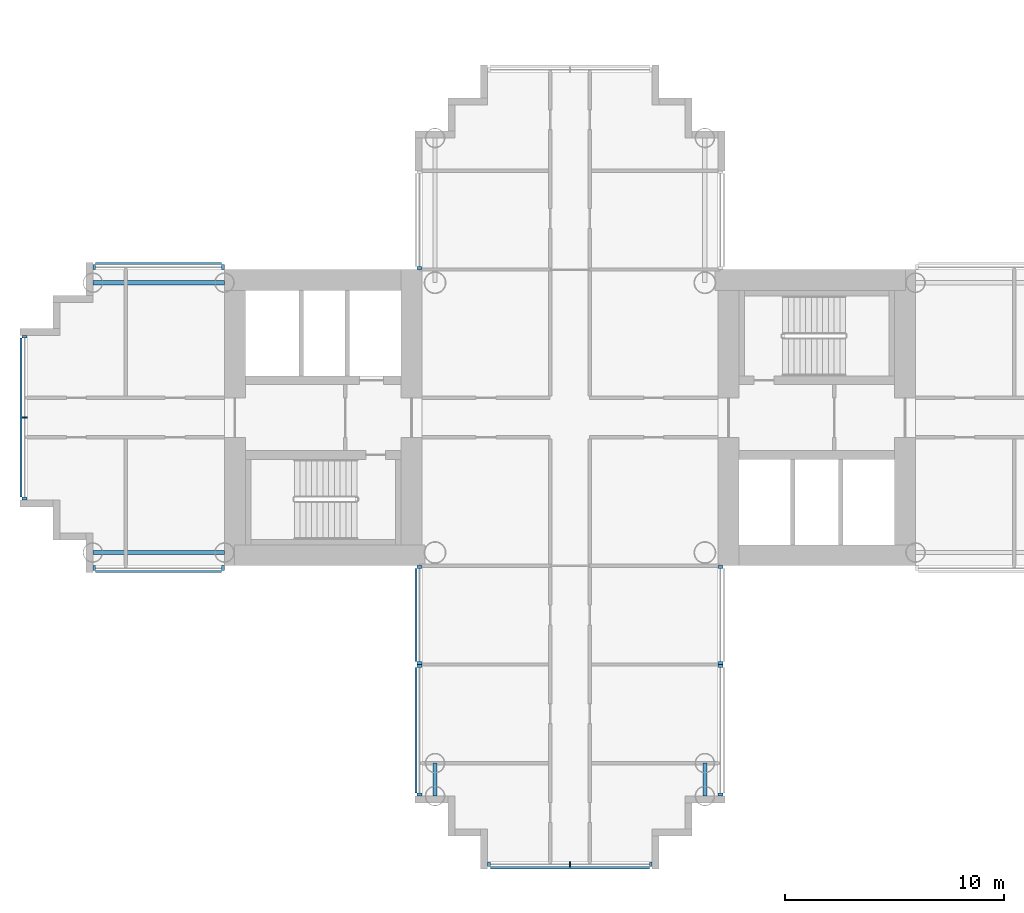
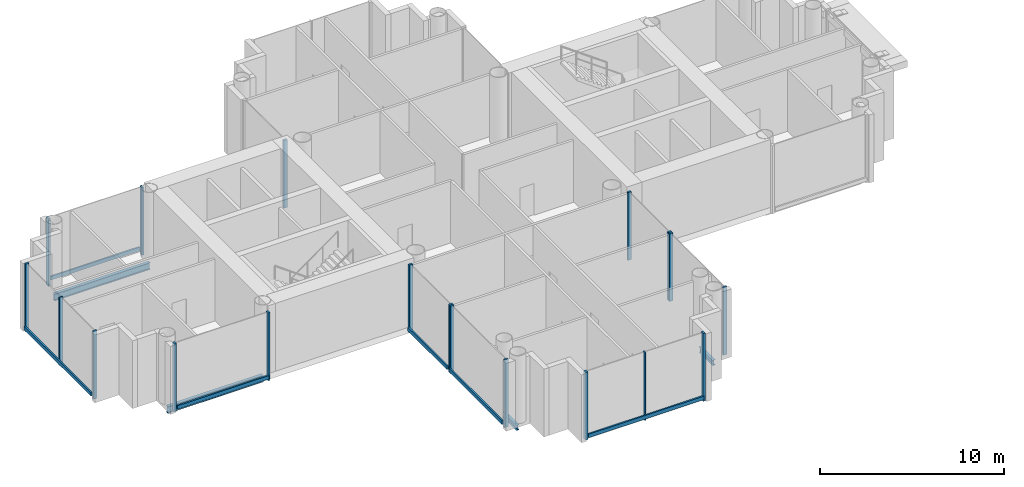
# One storey, part 3 of 20: 25 members, 4 beams, 9 elements without a shape of their own.
"""IFC4 building model written with IfcOpenShell, lengths in metres."""

from ifc_helpers import new_model, si_unit, direction, frame, origin, origin_2d, place, context, subcontext, project, spatial, rectangle, i_section, extrude, material, layer, layer_set, material_profile, profile_set, type_object, element, aggregate, save


model = new_model("IFC4")

# Units and contexts
model_context = context("Model", 3, precision=1e-05, world=origin(), true_north=direction((0.0, 1.0)))
body_context = subcontext(model_context, "Body", "Model", "MODEL_VIEW")
ifc_project = project(units=[si_unit("LENGTHUNIT", "METRE"), si_unit("AREAUNIT", "SQUARE_METRE"), si_unit("VOLUMEUNIT", "CUBIC_METRE"), si_unit("PLANEANGLEUNIT", "RADIAN"), si_unit("MASSUNIT", "GRAM", prefix="KILO")], contexts=[model_context])

# Site, building, storey
site_placement = place(None, origin())
site = spatial("IfcSite", under=ifc_project, at=site_placement, CompositionType="ELEMENT")
building_placement = place(site_placement, origin())
building = spatial("IfcBuilding", under=site, at=building_placement, Name="Ipe Terrace Towers", CompositionType="ELEMENT")
storey_placement = place(building_placement, frame((0.0, 0.0, 124.199951171875)))
storey = spatial("IfcBuildingStorey", under=building, at=storey_placement, Name="L34", CompositionType="ELEMENT", Elevation=124.199951171875)

# Beams
ifc_material_1 = material(Name="Steel S355", Category="steel")
ifc_material_profile_1 = material_profile(ifc_material_1, i_section(OverallWidth=0.175048828125, OverallDepth=0.35009765625, WebThickness=0.007080078125, FlangeThickness=0.010986328125, at=origin_2d()), Name="H-350x175x7x11")
ifc_profile_set_1 = profile_set([ifc_material_profile_1], Name="Steel S355")
beam_type_1 = type_object("IfcBeamType", Name="H04 EDGE BEAM H-350x175x7x11", PredefinedType="BEAM", material=ifc_profile_set_1)
for number, where, z_axis, x_axis, name in (
    (1, (-42.14990234375, -15.75, -0.574951171875), (0.0, -1.0, 0.0), (1.0, 0.0, 0.0), "Edge beam T1-EB-D03-D05"),
    (2, (-29.85009765625, -15.75, -0.574951171875), (0.0, -1.0, 0.0), (1.0, 0.0, 0.0), "Edge beam T1-EB-D04-D06"),
):
    element("IfcBeam", number, at=place(storey_placement, frame(where, z_axis=z_axis, x_axis=x_axis)), inside=storey, type_object=beam_type_1, Name=name, PredefinedType="BEAM", context=body_context, shape_type="SweptSolid", body=[
        extrude(i_section(OverallWidth=0.175048828125, OverallDepth=0.35009765625, WebThickness=0.007080078125, FlangeThickness=0.010986328125, at=origin_2d()), origin(), (0.0, 0.0, 1.0), 1.5),
    ])
ifc_material_2 = material(Name="Steel S355", Category="steel")
ifc_material_profile_2 = material_profile(ifc_material_2, i_section(OverallWidth=0.199951171875, OverallDepth=0.449951171875, WebThickness=0.009033203125, FlangeThickness=0.013916015625, at=origin_2d()), Name="H-450x200x9x14")
ifc_profile_set_2 = profile_set([ifc_material_profile_2], Name="Steel S355")
beam_type_2 = type_object("IfcBeamType", Name="H08 EDGE BEAM H-450x200x9x14", PredefinedType="BEAM", material=ifc_profile_set_2)
for number, where, z_axis, x_axis, name in (
    (3, (-51.75, -6.14990234375, -0.625), (-1.0, 0.0, 0.0), (0.0, -1.0, 0.0), "Edge beam T1-EB-C01-C03"),
    (4, (-51.75, 6.14990234375, -0.625), (-1.0, 0.0, 0.0), (0.0, -1.0, 0.0), "Edge beam T1-EB-C02-C04"),
):
    element("IfcBeam", number, at=place(storey_placement, frame(where, z_axis=z_axis, x_axis=x_axis)), inside=storey, type_object=beam_type_2, Name=name, PredefinedType="BEAM", context=body_context, shape_type="SweptSolid", body=[
        extrude(i_section(OverallWidth=0.199951171875, OverallDepth=0.449951171875, WebThickness=0.009033203125, FlangeThickness=0.013916015625, at=origin_2d()), origin(), (0.0, 0.0, 1.0), 6.0),
    ])

# Curtain wall, members
ifc_material_3 = material(Name="Aluminium alloy 6063-T6", Category="aluminium")
ifc_layer = layer(ifc_material_3, 0.320068359375)
ifc_layer_set = layer_set([ifc_layer], Name="PLANT LOUVRE CURTAIN WALL")
curtain_wall_type = type_object("IfcCurtainWallType", Name="PLANT LOUVRE CURTAIN WALL", PredefinedType="NOTDEFINED", material=ifc_layer_set)
curtain_wall_1_placement = place(storey_placement, origin())
curtain_wall_1 = element("IfcCurtainWall", 5, at=curtain_wall_1_placement, inside=storey, type_object=curtain_wall_type, Name="T1-CW-L34-04a curtain wall", PredefinedType="NOTDEFINED")
ifc_material_4 = material(Name="Aluminium alloy 6063-T6", Category="aluminium")
ifc_material_profile_3 = material_profile(ifc_material_4, rectangle(XDim=0.219970703125, YDim=0.1298828125, at=origin_2d()), Name="PLANT LOUVRE CORNER MULLION 220 x 130")
ifc_profile_set_3 = profile_set([ifc_material_profile_3], Name="Aluminium alloy 6063-T6")
member_type_1 = type_object("IfcMemberType", Name="PLANT LOUVRE CORNER MULLION 220 x 130", PredefinedType="MULLION", material=ifc_profile_set_3)
member_1_placement = place(storey_placement, frame((-57.68505859375, -6.860107421875, -0.300048828125), z_axis=(0.0, 0.0, 1.0), x_axis=(0.0, -1.0, 0.0)))
member_1 = element("IfcMember", 6, at=member_1_placement, type_object=member_type_1, Name="T1-CW-L34-04a mullion 1", PredefinedType="MULLION", context=body_context, shape_type="SweptSolid", body=[
    extrude(rectangle(XDim=0.219970703125, YDim=0.1298828125, at=origin_2d()), origin(), (0.0, 0.0, 1.0), 4.5),
])
member_2_placement = place(storey_placement, frame((-51.81591796875, -6.860107421875, -0.300048828125), z_axis=(0.0, 0.0, 1.0), x_axis=(0.0, -1.0, 0.0)))
member_2 = element("IfcMember", 7, at=member_2_placement, type_object=member_type_1, Name="T1-CW-L34-04a mullion 2", PredefinedType="MULLION", context=body_context, shape_type="SweptSolid", body=[
    extrude(rectangle(XDim=0.219970703125, YDim=0.1298828125, at=origin_2d()), origin(), (0.0, 0.0, 1.0), 4.5),
])

curtain_wall_2_placement = place(storey_placement, origin())
curtain_wall_2 = element("IfcCurtainWall", 8, at=curtain_wall_2_placement, inside=storey, type_object=curtain_wall_type, Name="T1-CW-L34-06a curtain wall", PredefinedType="NOTDEFINED")
member_3_placement = place(storey_placement, frame((-42.860107421875, -6.81494140625, -0.300048828125), z_axis=(0.0, 0.0, 1.0), x_axis=(-1.0, 0.0, 0.0)))
member_3 = element("IfcMember", 9, at=member_3_placement, type_object=member_type_1, Name="T1-CW-L34-06a mullion 1", PredefinedType="MULLION", context=body_context, shape_type="SweptSolid", body=[
    extrude(rectangle(XDim=0.219970703125, YDim=0.1298828125, at=origin_2d()), origin(), (0.0, 0.0, 1.0), 4.5),
])
member_4_placement = place(storey_placement, frame((-42.860107421875, -11.18505859375, -0.300048828125), z_axis=(0.0, 0.0, 1.0), x_axis=(-1.0, 0.0, 0.0)))
member_4 = element("IfcMember", 10, at=member_4_placement, type_object=member_type_1, Name="T1-CW-L34-06a mullion 2", PredefinedType="MULLION", context=body_context, shape_type="SweptSolid", body=[
    extrude(rectangle(XDim=0.219970703125, YDim=0.1298828125, at=origin_2d()), origin(), (0.0, 0.0, 1.0), 4.5),
])

curtain_wall_3_placement = place(storey_placement, origin())
curtain_wall_3 = element("IfcCurtainWall", 11, at=curtain_wall_3_placement, inside=storey, type_object=curtain_wall_type, Name="T1-CW-L34-07a curtain wall", PredefinedType="NOTDEFINED")
member_5_placement = place(storey_placement, frame((-42.860107421875, -11.31494140625, -0.300048828125), z_axis=(0.0, 0.0, 1.0), x_axis=(-1.0, 0.0, 0.0)))
member_5 = element("IfcMember", 12, at=member_5_placement, type_object=member_type_1, Name="T1-CW-L34-07a mullion 1", PredefinedType="MULLION", context=body_context, shape_type="SweptSolid", body=[
    extrude(rectangle(XDim=0.219970703125, YDim=0.1298828125, at=origin_2d()), origin(), (0.0, 0.0, 1.0), 4.5),
])
member_6_placement = place(storey_placement, frame((-42.860107421875, -17.18505859375, -0.300048828125), z_axis=(0.0, 0.0, 1.0), x_axis=(-1.0, 0.0, 0.0)))
member_6 = element("IfcMember", 13, at=member_6_placement, type_object=member_type_1, Name="T1-CW-L34-07a mullion 2", PredefinedType="MULLION", context=body_context, shape_type="SweptSolid", body=[
    extrude(rectangle(XDim=0.219970703125, YDim=0.1298828125, at=origin_2d()), origin(), (0.0, 0.0, 1.0), 4.5),
])

curtain_wall_4_placement = place(storey_placement, origin())
curtain_wall_4 = element("IfcCurtainWall", 14, at=curtain_wall_4_placement, inside=storey, type_object=curtain_wall_type, Name="T1-CW-L34-12a curtain wall", PredefinedType="NOTDEFINED")
member_7_placement = place(storey_placement, frame((-39.68505859375, -20.360107421875, -0.300048828125), z_axis=(0.0, 0.0, 1.0), x_axis=(0.0, -1.0, 0.0)))
member_7 = element("IfcMember", 15, at=member_7_placement, type_object=member_type_1, Name="T1-CW-L34-12a mullion 1", PredefinedType="MULLION", context=body_context, shape_type="SweptSolid", body=[
    extrude(rectangle(XDim=0.219970703125, YDim=0.1298828125, at=origin_2d()), origin(), (0.0, 0.0, 1.0), 4.5),
])
member_8_placement = place(storey_placement, frame((-32.31494140625, -20.360107421875, -0.300048828125), z_axis=(0.0, 0.0, 1.0), x_axis=(0.0, -1.0, 0.0)))
member_8 = element("IfcMember", 16, at=member_8_placement, type_object=member_type_1, Name="T1-CW-L34-12a mullion 3", PredefinedType="MULLION", context=body_context, shape_type="SweptSolid", body=[
    extrude(rectangle(XDim=0.219970703125, YDim=0.1298828125, at=origin_2d()), origin(), (0.0, 0.0, 1.0), 4.5),
])

curtain_wall_5_placement = place(storey_placement, origin())
curtain_wall_5 = element("IfcCurtainWall", 17, at=curtain_wall_5_placement, inside=storey, type_object=curtain_wall_type, Name="T1-CW-L34-17a curtain wall", PredefinedType="NOTDEFINED")
member_9_placement = place(storey_placement, frame((-29.139892578125, -17.18505859375, -0.300048828125), z_axis=(0.0, 0.0, 1.0), x_axis=(1.0, 0.0, 0.0)))
member_9 = element("IfcMember", 18, at=member_9_placement, type_object=member_type_1, Name="T1-CW-L34-17a mullion 1", PredefinedType="MULLION", context=body_context, shape_type="SweptSolid", body=[
    extrude(rectangle(XDim=0.219970703125, YDim=0.1298828125, at=origin_2d()), origin(), (0.0, 0.0, 1.0), 4.5),
])
member_10_placement = place(storey_placement, frame((-29.139892578125, -11.31494140625, -0.300048828125), z_axis=(0.0, 0.0, 1.0), x_axis=(1.0, 0.0, 0.0)))
member_10 = element("IfcMember", 19, at=member_10_placement, type_object=member_type_1, Name="T1-CW-L34-17a mullion 2", PredefinedType="MULLION", context=body_context, shape_type="SweptSolid", body=[
    extrude(rectangle(XDim=0.219970703125, YDim=0.1298828125, at=origin_2d()), origin(), (0.0, 0.0, 1.0), 4.5),
])
aggregate(curtain_wall_5, [member_9, member_10])

curtain_wall_6_placement = place(storey_placement, origin())
curtain_wall_6 = element("IfcCurtainWall", 20, at=curtain_wall_6_placement, inside=storey, type_object=curtain_wall_type, Name="T1-CW-L34-18a curtain wall", PredefinedType="NOTDEFINED")
member_11_placement = place(storey_placement, frame((-29.139892578125, -11.18505859375, -0.300048828125), z_axis=(0.0, 0.0, 1.0), x_axis=(1.0, 0.0, 0.0)))
member_11 = element("IfcMember", 21, at=member_11_placement, type_object=member_type_1, Name="T1-CW-L34-18a mullion 1", PredefinedType="MULLION", context=body_context, shape_type="SweptSolid", body=[
    extrude(rectangle(XDim=0.219970703125, YDim=0.1298828125, at=origin_2d()), origin(), (0.0, 0.0, 1.0), 4.5),
])
member_12_placement = place(storey_placement, frame((-29.139892578125, -6.81494140625, -0.300048828125), z_axis=(0.0, 0.0, 1.0), x_axis=(1.0, 0.0, 0.0)))
member_12 = element("IfcMember", 22, at=member_12_placement, type_object=member_type_1, Name="T1-CW-L34-18a mullion 2", PredefinedType="MULLION", context=body_context, shape_type="SweptSolid", body=[
    extrude(rectangle(XDim=0.219970703125, YDim=0.1298828125, at=origin_2d()), origin(), (0.0, 0.0, 1.0), 4.5),
])
aggregate(curtain_wall_6, [member_11, member_12])

# Curtain wall, member
curtain_wall_7_placement = place(storey_placement, origin())
curtain_wall_7 = element("IfcCurtainWall", 23, at=curtain_wall_7_placement, inside=storey, type_object=curtain_wall_type, Name="T1-CW-L34-44a curtain wall", PredefinedType="NOTDEFINED")
member_13_placement = place(storey_placement, frame((-42.860107421875, 6.81494140625, -0.300048828125), z_axis=(0.0, 0.0, 1.0), x_axis=(-1.0, 0.0, 0.0)))
member_13 = element("IfcMember", 24, at=member_13_placement, type_object=member_type_1, Name="T1-CW-L34-44a mullion 2", PredefinedType="MULLION", context=body_context, shape_type="SweptSolid", body=[
    extrude(rectangle(XDim=0.219970703125, YDim=0.1298828125, at=origin_2d()), origin(), (0.0, 0.0, 1.0), 4.5),
])
aggregate(curtain_wall_7, [member_13])

# Curtain wall, members
curtain_wall_8_placement = place(storey_placement, origin())
curtain_wall_8 = element("IfcCurtainWall", 25, at=curtain_wall_8_placement, inside=storey, type_object=curtain_wall_type, Name="T1-CW-L34-46b curtain wall", PredefinedType="NOTDEFINED")
member_14_placement = place(storey_placement, frame((-51.81591796875, 6.860107421875, -0.300048828125), z_axis=(0.0, 0.0, 1.0), x_axis=(0.0, 1.0, 0.0)))
member_14 = element("IfcMember", 26, at=member_14_placement, type_object=member_type_1, Name="T1-CW-L34-46b mullion 1", PredefinedType="MULLION", context=body_context, shape_type="SweptSolid", body=[
    extrude(rectangle(XDim=0.219970703125, YDim=0.1298828125, at=origin_2d()), origin(), (0.0, 0.0, 1.0), 4.5),
])
member_15_placement = place(storey_placement, frame((-57.68505859375, 6.860107421875, -0.300048828125), z_axis=(0.0, 0.0, 1.0), x_axis=(0.0, 1.0, 0.0)))
member_15 = element("IfcMember", 27, at=member_15_placement, type_object=member_type_1, Name="T1-CW-L34-46b mullion 2", PredefinedType="MULLION", context=body_context, shape_type="SweptSolid", body=[
    extrude(rectangle(XDim=0.219970703125, YDim=0.1298828125, at=origin_2d()), origin(), (0.0, 0.0, 1.0), 4.5),
])

curtain_wall_9_placement = place(storey_placement, origin())
curtain_wall_9 = element("IfcCurtainWall", 28, at=curtain_wall_9_placement, inside=storey, type_object=curtain_wall_type, Name="T1-CW-L34-51a curtain wall", PredefinedType="NOTDEFINED")
member_16_placement = place(storey_placement, frame((-60.860107421875, 3.68505859375, -0.300048828125), z_axis=(0.0, 0.0, 1.0), x_axis=(-1.0, 0.0, 0.0)))
member_16 = element("IfcMember", 29, at=member_16_placement, type_object=member_type_1, Name="T1-CW-L34-51a mullion 1", PredefinedType="MULLION", context=body_context, shape_type="SweptSolid", body=[
    extrude(rectangle(XDim=0.219970703125, YDim=0.1298828125, at=origin_2d()), origin(), (0.0, 0.0, 1.0), 4.5),
])
member_17_placement = place(storey_placement, frame((-60.860107421875, -3.68505859375, -0.300048828125), z_axis=(0.0, 0.0, 1.0), x_axis=(-1.0, 0.0, 0.0)))
member_17 = element("IfcMember", 30, at=member_17_placement, type_object=member_type_1, Name="T1-CW-L34-51a mullion 3", PredefinedType="MULLION", context=body_context, shape_type="SweptSolid", body=[
    extrude(rectangle(XDim=0.219970703125, YDim=0.1298828125, at=origin_2d()), origin(), (0.0, 0.0, 1.0), 4.5),
])

# Member
ifc_material_5 = material(Name="Aluminium alloy 6063-T6", Category="aluminium")
ifc_material_profile_4 = material_profile(ifc_material_5, rectangle(XDim=0.219970703125, YDim=0.070068359375, at=origin_2d()), Name="PLANT LOUVRE MULLION 220 x 70")
ifc_profile_set_4 = profile_set([ifc_material_profile_4], Name="Aluminium alloy 6063-T6")
member_type_2 = type_object("IfcMemberType", Name="PLANT LOUVRE MULLION 220 x 70", PredefinedType="MULLION", material=ifc_profile_set_4)
member_18_placement = place(storey_placement, frame((-36.0, -20.360107421875, -0.300048828125), z_axis=(0.0, 0.0, 1.0), x_axis=(0.0, -1.0, 0.0)))
member_18 = element("IfcMember", 31, at=member_18_placement, type_object=member_type_2, Name="T1-CW-L34-12a mullion 2", PredefinedType="MULLION", context=body_context, shape_type="SweptSolid", body=[
    extrude(rectangle(XDim=0.219970703125, YDim=0.070068359375, at=origin_2d()), origin(), (0.0, 0.0, 1.0), 4.5),
])

member_19_placement = place(storey_placement, frame((-60.860107421875, 0.0, -0.300048828125), z_axis=(0.0, 0.0, 1.0), x_axis=(-1.0, 0.0, 0.0)))
member_19 = element("IfcMember", 32, at=member_19_placement, type_object=member_type_2, Name="T1-CW-L34-51a mullion 2", PredefinedType="MULLION", context=body_context, shape_type="SweptSolid", body=[
    extrude(rectangle(XDim=0.219970703125, YDim=0.070068359375, at=origin_2d()), origin(), (0.0, 0.0, 1.0), 4.5),
])

ifc_material_6 = material(Name="Aluminium alloy 6063-T6", Category="aluminium")
ifc_material_profile_5 = material_profile(ifc_material_6, rectangle(XDim=0.10009765625, YDim=0.239990234375, at=origin_2d()), Name="PLANT LOUVRE TRANSOM 100 x 240")
ifc_profile_set_5 = profile_set([ifc_material_profile_5], Name="Aluminium alloy 6063-T6")
member_type_3 = type_object("IfcMemberType", Name="PLANT LOUVRE TRANSOM 100 x 240", PredefinedType="USERDEFINED", material=ifc_profile_set_5)
member_20_placement = place(storey_placement, frame((-57.6201171875, -7.02001953125, 0.0), z_axis=(1.0, 0.0, 0.0), x_axis=(0.0, -1.0, 0.0)))
member_20 = element("IfcMember", 33, at=member_20_placement, type_object=member_type_3, Name="T1-CW-L34-04a transom", ObjectType="TRANSOM", PredefinedType="USERDEFINED", context=body_context, shape_type="SweptSolid", body=[
    extrude(rectangle(XDim=0.10009765625, YDim=0.239990234375, at=origin_2d()), origin(), (0.0, 0.0, 1.0), 5.739013671875),
])

aggregate(curtain_wall_1, [member_1, member_2, member_20])

member_21_placement = place(storey_placement, frame((-43.02001953125, -6.8798828125, 0.0), z_axis=(0.0, -1.0, 0.0), x_axis=(-1.0, 0.0, 0.0)))
member_21 = element("IfcMember", 34, at=member_21_placement, type_object=member_type_3, Name="T1-CW-L34-06a transom", ObjectType="TRANSOM", PredefinedType="USERDEFINED", context=body_context, shape_type="SweptSolid", body=[
    extrude(rectangle(XDim=0.10009765625, YDim=0.239990234375, at=origin_2d()), origin(), (0.0, 0.0, 1.0), 4.240234375),
])

aggregate(curtain_wall_2, [member_3, member_4, member_21])

member_22_placement = place(storey_placement, frame((-43.02001953125, -11.3798828125, 0.0), z_axis=(0.0, -1.0, 0.0), x_axis=(-1.0, 0.0, 0.0)))
member_22 = element("IfcMember", 35, at=member_22_placement, type_object=member_type_3, Name="T1-CW-L34-07a transom", ObjectType="TRANSOM", PredefinedType="USERDEFINED", context=body_context, shape_type="SweptSolid", body=[
    extrude(rectangle(XDim=0.10009765625, YDim=0.239990234375, at=origin_2d()), origin(), (0.0, 0.0, 1.0), 5.740234375),
])

aggregate(curtain_wall_3, [member_5, member_6, member_22])

member_23_placement = place(storey_placement, frame((-39.6201171875, -20.52001953125, 0.0), z_axis=(1.0, 0.0, 0.0), x_axis=(0.0, -1.0, 0.0)))
member_23 = element("IfcMember", 36, at=member_23_placement, type_object=member_type_3, Name="T1-CW-L34-12a transom", ObjectType="TRANSOM", PredefinedType="USERDEFINED", context=body_context, shape_type="SweptSolid", body=[
    extrude(rectangle(XDim=0.10009765625, YDim=0.239990234375, at=origin_2d()), origin(), (0.0, 0.0, 1.0), 7.240234375),
])

aggregate(curtain_wall_4, [member_7, member_18, member_8, member_23])

member_24_placement = place(storey_placement, frame((-51.881103515625, 7.02001953125, 0.0), z_axis=(-1.0, 0.0, 0.0), x_axis=(0.0, 1.0, 0.0)))
member_24 = element("IfcMember", 37, at=member_24_placement, type_object=member_type_3, Name="T1-CW-L34-46b transom", ObjectType="TRANSOM", PredefinedType="USERDEFINED", context=body_context, shape_type="SweptSolid", body=[
    extrude(rectangle(XDim=0.10009765625, YDim=0.239990234375, at=origin_2d()), origin(), (0.0, 0.0, 1.0), 5.739013671875),
])

aggregate(curtain_wall_8, [member_14, member_15, member_24])

member_25_placement = place(storey_placement, frame((-61.02001953125, 3.6201171875, 0.0), z_axis=(0.0, -1.0, 0.0), x_axis=(-1.0, 0.0, 0.0)))
member_25 = element("IfcMember", 38, at=member_25_placement, type_object=member_type_3, Name="T1-CW-L34-51a transom", ObjectType="TRANSOM", PredefinedType="USERDEFINED", context=body_context, shape_type="SweptSolid", body=[
    extrude(rectangle(XDim=0.10009765625, YDim=0.239990234375, at=origin_2d()), origin(), (0.0, 0.0, 1.0), 7.240234375),
])

aggregate(curtain_wall_9, [member_16, member_19, member_17, member_25])

save(model, "model.ifc")
